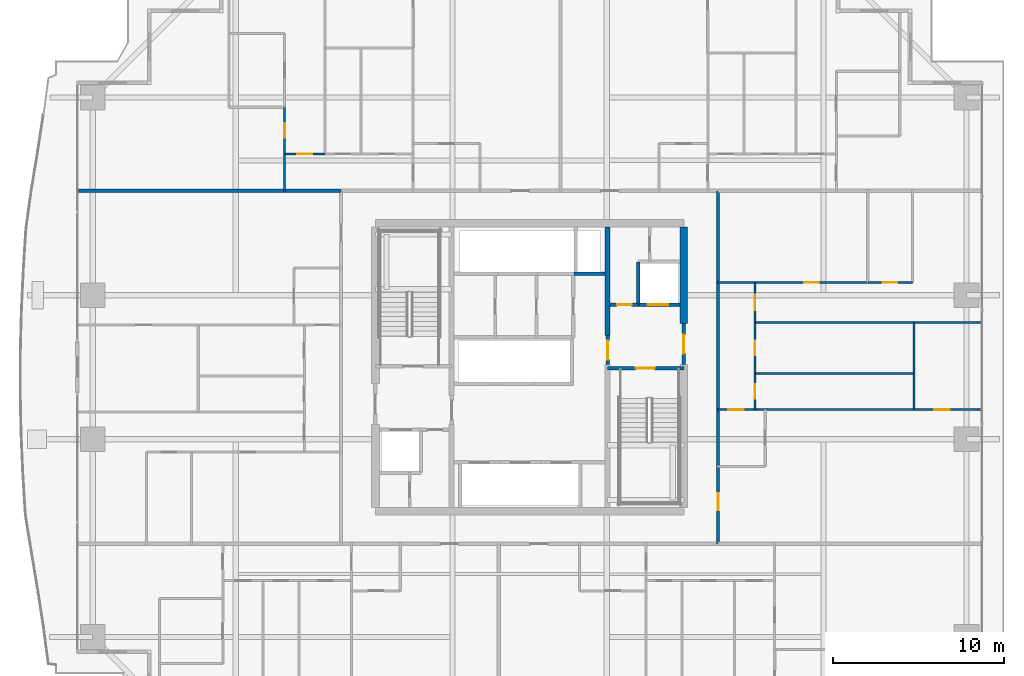
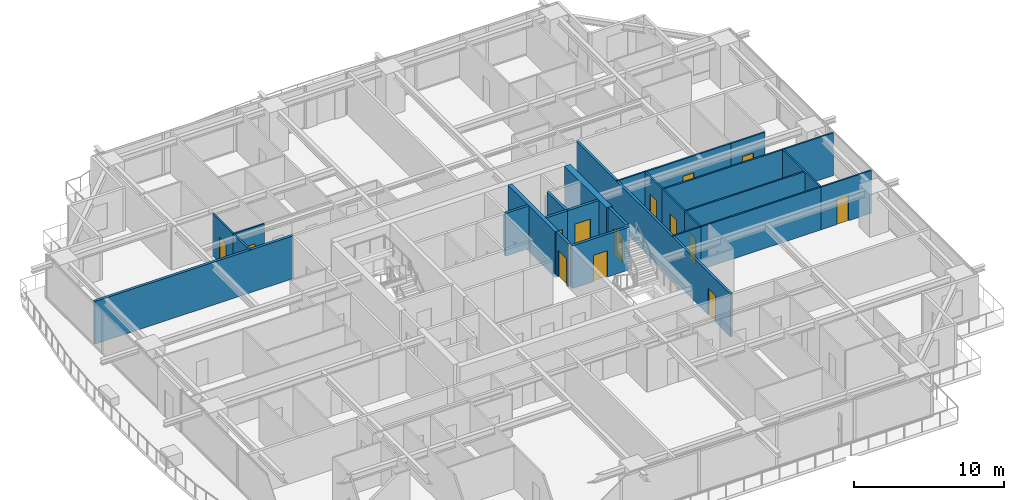
# One storey, part 26 of 36: 26 walls, 15 doors, 15 openings.
"""IFC4 building model written with IfcOpenShell, lengths in metres."""

from ifc_helpers import new_model, si_unit, direction, frame, frame_2d, origin, place, context, subcontext, project, spatial, rectangle, extrude, source, transform, mapped, material, layer, layer_set, type_object, element, fill, save


model = new_model("IFC4")

# Units and contexts
model_context = context("Model", 3, precision=1e-05, world=origin(), true_north=direction((0.0, 1.0)))
body_context = subcontext(model_context, "Body", "Model", "MODEL_VIEW")
ifc_project = project(units=[si_unit("LENGTHUNIT", "METRE"), si_unit("AREAUNIT", "SQUARE_METRE"), si_unit("VOLUMEUNIT", "CUBIC_METRE"), si_unit("PLANEANGLEUNIT", "RADIAN"), si_unit("MASSUNIT", "GRAM", prefix="KILO")], contexts=[model_context])

# Site, building, storey
site_placement = place(None, origin())
site = spatial("IfcSite", under=ifc_project, at=site_placement, CompositionType="ELEMENT")
building_placement = place(site_placement, origin())
building = spatial("IfcBuilding", under=site, at=building_placement, Name="Serunith Strait Residences", CompositionType="ELEMENT")
storey_placement = place(building_placement, frame((0.0, 0.0, 41.699951171875)))
storey = spatial("IfcBuildingStorey", under=building, at=storey_placement, Name="L09", CompositionType="ELEMENT", Elevation=41.699951171875)

# Wall, opening, door
ifc_material_1 = material(Name="Fire-rated acoustic gypsum partition")
ifc_layer_1 = layer(ifc_material_1, 0.179931640625, Name="Fire-rated acoustic gypsum partition")
ifc_layer_set_1 = layer_set([ifc_layer_1], Name="Fire-rated acoustic gypsum partition")
wall_type_1 = type_object("IfcWallType", Name="IW-CORR-180", PredefinedType="PARTITIONING", material=ifc_layer_set_1)
wall_1_placement = place(storey_placement, frame((43.39990234375, 14.89990234375, 0.0), z_axis=(0.0, 0.0, 1.0), x_axis=(0.0, 1.0, 0.0)))
wall_1 = element("IfcWall", 1, at=wall_1_placement, inside=storey, type_object=wall_type_1, Name="L09 Partition Wall 026", PredefinedType="PARTITIONING", context=body_context, shape_type="SweptSolid", body=[
    extrude(rectangle(XDim=20.60009765625, YDim=0.179931640625, at=frame_2d((10.300048828125, 0.0))), origin(), (0.0, 0.0, 1.0), 3.489990234375),
])
opening_1_placement = place(wall_1_placement, frame((1.9599609375, 0.0, 0.0)))
opening_1 = element("IfcOpeningElement", 2, at=opening_1_placement, cuts=wall_1, Name="Opening D-APT1000", PredefinedType="OPENING", context=body_context, shape_type="SweptSolid", body=[
    extrude(rectangle(XDim=1.0, YDim=2.14990234375, at=frame_2d((0.5, 1.074951171875))), frame((0.0, 0.10009765625, 0.0), z_axis=(0.0, -1.0, 0.0), x_axis=(1.0, 0.0, 0.0)), (0.0, 0.0, 1.0), 0.199951171875),
])
ifc_material_2 = material(Name="Solid timber engineered fire door", Category="wood")
door_type_1 = type_object("IfcDoorType", Name="ID-APT-1000", OperationType="NOTDEFINED", PredefinedType="DOOR", material=ifc_material_2)
shared_shape_1 = source(origin(), body_context, "Body", "SweptSolid", [
    extrude(rectangle(XDim=1.0, YDim=2.14990234375, at=frame_2d((0.5, 1.074951171875))), frame((0.0, 0.02490234375, 0.0), z_axis=(0.0, -1.0, 0.0), x_axis=(1.0, 0.0, 0.0)), (0.0, 0.0, 1.0), 0.050048828125),
])
door_1_placement = place(opening_1_placement, origin())
door_1 = element("IfcDoor", 3, at=door_1_placement, inside=storey, type_object=door_type_1, Name="L09 Unit 06 Entrance Door", OperationType="SINGLE_SWING_RIGHT", OverallHeight=2.14990234375, OverallWidth=1.0, PredefinedType="DOOR", context=body_context, shape_type="MappedRepresentation", body=[
    mapped(shared_shape_1, transform((0.0, 0.0, 0.0), scale=1.0)),
])
fill(opening_1, door_1)

ifc_material_3 = material(Name="Lightweight steel-stud gypsum partition", Category="steel")
ifc_layer_2 = layer(ifc_material_3, 0.1201171875, Name="Lightweight steel-stud gypsum partition")
ifc_layer_set_2 = layer_set([ifc_layer_2], Name="Lightweight steel-stud gypsum partition")
wall_type_2 = type_object("IfcWallType", Name="IW-PART-120", PredefinedType="PARTITIONING", material=ifc_layer_set_2)
wall_2_placement = place(storey_placement, frame((18.10009765625, 37.64990234375, 0.0), z_axis=(0.0, 0.0, 1.0), x_axis=(1.0, 0.0, 0.0)))
wall_2 = element("IfcWall", 4, at=wall_2_placement, inside=storey, type_object=wall_type_2, Name="L09 Partition Wall 071", PredefinedType="PARTITIONING", context=body_context, shape_type="SweptSolid", body=[
    extrude(rectangle(XDim=2.347900390625, YDim=0.1201171875, at=frame_2d((1.173828125, 0.0))), origin(), (0.0, 0.0, 1.0), 3.489990234375),
])
opening_2_placement = place(wall_2_placement, frame((0.72412109375, 0.0, 0.0)))
opening_2 = element("IfcOpeningElement", 5, at=opening_2_placement, cuts=wall_2, Name="Opening D-RM900", PredefinedType="OPENING", context=body_context, shape_type="SweptSolid", body=[
    extrude(rectangle(XDim=0.89990234375, YDim=2.10009765625, at=frame_2d((0.449951171875, 1.050048828125))), frame((0.0, 0.070068359375, 0.0), z_axis=(0.0, -1.0, 0.0), x_axis=(1.0, 0.0, 0.0)), (0.0, 0.0, 1.0), 0.14013671875),
])
ifc_material_4 = material(Name="Engineered timber flush bedroom door", Category="wood")
door_type_2 = type_object("IfcDoorType", Name="ID-ROOM-900", OperationType="NOTDEFINED", PredefinedType="DOOR", material=ifc_material_4)
shared_shape_2 = source(origin(), body_context, "Body", "SweptSolid", [
    extrude(rectangle(XDim=0.89990234375, YDim=2.10009765625, at=frame_2d((0.449951171875, 1.050048828125))), frame((0.0, 0.02490234375, 0.0), z_axis=(0.0, -1.0, 0.0), x_axis=(1.0, 0.0, 0.0)), (0.0, 0.0, 1.0), 0.050048828125),
])
door_2_placement = place(opening_2_placement, origin())
door_2 = element("IfcDoor", 6, at=door_2_placement, inside=storey, type_object=door_type_2, Name="L09 Master Bedroom W 0903 Door", OperationType="SINGLE_SWING_RIGHT", OverallHeight=2.10009765625, OverallWidth=0.89990234375, PredefinedType="DOOR", context=body_context, shape_type="MappedRepresentation", body=[
    mapped(shared_shape_2, transform((0.0, 0.0, 0.0), scale=1.0)),
])
fill(opening_2, door_2)

wall_3_placement = place(storey_placement, frame((18.10009765625, 40.3720703125, 0.0), z_axis=(0.0, 0.0, 1.0), x_axis=(0.0, -1.0, 0.0)))
wall_3 = element("IfcWall", 7, at=wall_3_placement, inside=storey, type_object=wall_type_2, Name="L09 Partition Wall 076", PredefinedType="PARTITIONING", context=body_context, shape_type="SweptSolid", body=[
    extrude(rectangle(XDim=2.72216796875, YDim=0.1201171875, at=frame_2d((1.361083984375, 0.0))), origin(), (0.0, 0.0, 1.0), 3.489990234375),
])
opening_3_placement = place(wall_3_placement, frame((0.93603515625, 0.0, 0.0)))
opening_3 = element("IfcOpeningElement", 8, at=opening_3_placement, cuts=wall_3, Name="Opening D-RM850", PredefinedType="OPENING", context=body_context, shape_type="SweptSolid", body=[
    extrude(rectangle(XDim=0.85009765625, YDim=2.10009765625, at=frame_2d((0.425048828125, 1.050048828125))), frame((0.0, 0.070068359375, 0.0), z_axis=(0.0, -1.0, 0.0), x_axis=(1.0, 0.0, 0.0)), (0.0, 0.0, 1.0), 0.14013671875),
])
ifc_material_5 = material(Name="Engineered timber flush study and kitchen door", Category="wood")
door_type_3 = type_object("IfcDoorType", Name="ID-ROOM-850", OperationType="NOTDEFINED", PredefinedType="DOOR", material=ifc_material_5)
shared_shape_3 = source(origin(), body_context, "Body", "SweptSolid", [
    extrude(rectangle(XDim=0.85009765625, YDim=2.10009765625, at=frame_2d((0.425048828125, 1.050048828125))), frame((0.0, 0.02490234375, 0.0), z_axis=(0.0, -1.0, 0.0), x_axis=(1.0, 0.0, 0.0)), (0.0, 0.0, 1.0), 0.050048828125),
])
door_3_placement = place(opening_3_placement, origin())
door_3 = element("IfcDoor", 9, at=door_3_placement, inside=storey, type_object=door_type_3, Name="L09 Wardrobe W 0903 Door", OperationType="SINGLE_SWING_RIGHT", OverallHeight=2.10009765625, OverallWidth=0.85009765625, PredefinedType="DOOR", context=body_context, shape_type="MappedRepresentation", body=[
    mapped(shared_shape_3, transform((0.0, 0.0, 0.0), scale=1.0)),
])
fill(opening_3, door_3)

# Wall
wall_4_placement = place(storey_placement, frame((18.10009765625, 37.64794921875, 0.0), z_axis=(0.0, 0.0, 1.0), x_axis=(0.0, -1.0, 0.0)))
element("IfcWall", 10, at=wall_4_placement, inside=storey, type_object=wall_type_2, Name="L09 Partition Wall 077", PredefinedType="PARTITIONING", context=body_context, shape_type="SweptSolid", body=[
    extrude(rectangle(XDim=2.2080078125, YDim=0.1201171875, at=frame_2d((1.10400390625, 0.0))), origin(), (0.0, 0.0, 1.0), 3.489990234375),
])

# Wall, opening, door
wall_5_placement = place(storey_placement, frame((45.550048828125, 22.72998046875, 0.0), z_axis=(0.0, 0.0, 1.0), x_axis=(-1.0, 0.0, 0.0)))
wall_5 = element("IfcWall", 11, at=wall_5_placement, inside=storey, type_object=wall_type_2, Name="L09 Partition Wall 113", PredefinedType="PARTITIONING", context=body_context, shape_type="SweptSolid", body=[
    extrude(rectangle(XDim=2.2099609375, YDim=0.1201171875, at=frame_2d((1.10498046875, 0.0))), origin(), (0.0, 0.0, 1.0), 3.489990234375),
])
opening_4_placement = place(wall_5_placement, frame((0.655029296875, 0.0, 0.0)))
opening_4 = element("IfcOpeningElement", 12, at=opening_4_placement, cuts=wall_5, Name="Opening D-RM900", PredefinedType="OPENING", context=body_context, shape_type="SweptSolid", body=[
    extrude(rectangle(XDim=0.89990234375, YDim=2.10009765625, at=frame_2d((0.449951171875, 1.050048828125))), frame((0.0, 0.070068359375, 0.0), z_axis=(0.0, -1.0, 0.0), x_axis=(1.0, 0.0, 0.0)), (0.0, 0.0, 1.0), 0.14013671875),
])
door_4_placement = place(opening_4_placement, origin())
door_4 = element("IfcDoor", 13, at=door_4_placement, inside=storey, type_object=door_type_2, Name="L09 Hall E 0906 Door", OperationType="SINGLE_SWING_RIGHT", OverallHeight=2.10009765625, OverallWidth=0.89990234375, PredefinedType="DOOR", context=body_context, shape_type="MappedRepresentation", body=[
    mapped(shared_shape_2, transform((0.0, 0.0, 0.0), scale=1.0)),
])
fill(opening_4, door_4)

wall_6_placement = place(storey_placement, frame((58.705078125, 22.72998046875, 0.0), z_axis=(0.0, 0.0, 1.0), x_axis=(-1.0, 0.0, 0.0)))
wall_6 = element("IfcWall", 14, at=wall_6_placement, inside=storey, type_object=wall_type_2, Name="L09 Partition Wall 114", PredefinedType="PARTITIONING", context=body_context, shape_type="SweptSolid", body=[
    extrude(rectangle(XDim=3.884033203125, YDim=0.1201171875, at=frame_2d((1.94189453125, 0.0))), origin(), (0.0, 0.0, 1.0), 3.489990234375),
])
opening_5_placement = place(wall_6_placement, frame((1.781005859375, 0.0, 0.0)))
opening_5 = element("IfcOpeningElement", 15, at=opening_5_placement, cuts=wall_6, Name="Opening D-RM900", PredefinedType="OPENING", context=body_context, shape_type="SweptSolid", body=[
    extrude(rectangle(XDim=0.89990234375, YDim=2.10009765625, at=frame_2d((0.449951171875, 1.050048828125))), frame((0.0, 0.070068359375, 0.0), z_axis=(0.0, -1.0, 0.0), x_axis=(1.0, 0.0, 0.0)), (0.0, 0.0, 1.0), 0.14013671875),
])
door_5_placement = place(opening_5_placement, origin())
door_5 = element("IfcDoor", 16, at=door_5_placement, inside=storey, type_object=door_type_2, Name="L09 Study 1 0906 Door", OperationType="SINGLE_SWING_LEFT", OverallHeight=2.10009765625, OverallWidth=0.89990234375, PredefinedType="DOOR", context=body_context, shape_type="MappedRepresentation", body=[
    mapped(shared_shape_2, transform((0.0, 0.0, 0.0), scale=1.0)),
])
fill(opening_5, door_5)

# Walls
wall_7_placement = place(storey_placement, frame((54.819091796875, 22.72998046875, 0.0), z_axis=(0.0, 0.0, 1.0), x_axis=(-1.0, 0.0, 0.0)))
element("IfcWall", 17, at=wall_7_placement, inside=storey, type_object=wall_type_2, Name="L09 Partition Wall 115", PredefinedType="PARTITIONING", context=body_context, shape_type="SweptSolid", body=[
    extrude(rectangle(XDim=9.26708984375, YDim=0.1201171875, at=frame_2d((4.633544921875, 0.0))), origin(), (0.0, 0.0, 1.0), 3.489990234375),
])
wall_8_placement = place(storey_placement, frame((54.821044921875, 22.72998046875, 0.0), z_axis=(0.0, 0.0, 1.0), x_axis=(0.0, 1.0, 0.0)))
element("IfcWall", 18, at=wall_8_placement, inside=storey, type_object=wall_type_2, Name="L09 Partition Wall 116", PredefinedType="PARTITIONING", context=body_context, shape_type="SweptSolid", body=[
    extrude(rectangle(XDim=5.070068359375, YDim=0.1201171875, at=frame_2d((2.53515625, 0.0))), origin(), (0.0, 0.0, 1.0), 3.489990234375),
])
wall_9_placement = place(storey_placement, frame((58.705078125, 27.800048828125, 0.0), z_axis=(0.0, 0.0, 1.0), x_axis=(-1.0, 0.0, 0.0)))
element("IfcWall", 19, at=wall_9_placement, inside=storey, type_object=wall_type_2, Name="L09 Partition Wall 117", PredefinedType="PARTITIONING", context=body_context, shape_type="SweptSolid", body=[
    extrude(rectangle(XDim=13.155029296875, YDim=0.1201171875, at=frame_2d((6.57763671875, 0.0))), origin(), (0.0, 0.0, 1.0), 3.489990234375),
])
wall_10_placement = place(storey_placement, frame((54.821044921875, 24.830078125, 0.0), z_axis=(0.0, 0.0, 1.0), x_axis=(-1.0, 0.0, 0.0)))
element("IfcWall", 20, at=wall_10_placement, inside=storey, type_object=wall_type_2, Name="L09 Partition Wall 118", PredefinedType="PARTITIONING", context=body_context, shape_type="SweptSolid", body=[
    extrude(rectangle(XDim=9.27099609375, YDim=0.1201171875, at=frame_2d((4.635498046875, 0.0))), origin(), (0.0, 0.0, 1.0), 3.489990234375),
])

# Wall, opening, door
wall_11_placement = place(storey_placement, frame((45.550048828125, 22.72998046875, 0.0), z_axis=(0.0, 0.0, 1.0), x_axis=(0.0, 1.0, 0.0)))
wall_11 = element("IfcWall", 21, at=wall_11_placement, inside=storey, type_object=wall_type_2, Name="L09 Partition Wall 119", PredefinedType="PARTITIONING", context=body_context, shape_type="SweptSolid", body=[
    extrude(rectangle(XDim=2.10009765625, YDim=0.1201171875, at=frame_2d((1.050048828125, 0.0))), origin(), (0.0, 0.0, 1.0), 3.489990234375),
])
opening_6_placement = place(wall_11_placement, frame((0.625, 0.0, 0.0)))
opening_6 = element("IfcOpeningElement", 22, at=opening_6_placement, cuts=wall_11, Name="Opening D-BTH850", PredefinedType="OPENING", context=body_context, shape_type="SweptSolid", body=[
    extrude(rectangle(XDim=0.85009765625, YDim=2.10009765625, at=frame_2d((0.425048828125, 1.050048828125))), frame((0.0, 0.070068359375, 0.0), z_axis=(0.0, -1.0, 0.0), x_axis=(1.0, 0.0, 0.0)), (0.0, 0.0, 1.0), 0.14013671875),
])
ifc_material_6 = material(Name="Moisture-resistant timber bathroom door", Category="wood")
door_type_4 = type_object("IfcDoorType", Name="ID-BATH-850", OperationType="NOTDEFINED", PredefinedType="DOOR", material=ifc_material_6)
door_6_placement = place(opening_6_placement, origin())
door_6 = element("IfcDoor", 23, at=door_6_placement, inside=storey, type_object=door_type_4, Name="L09 Bathroom 0906 Door", OperationType="SINGLE_SWING_RIGHT", OverallHeight=2.10009765625, OverallWidth=0.85009765625, PredefinedType="DOOR", context=body_context, shape_type="MappedRepresentation", body=[
    mapped(shared_shape_3, transform((0.0, 0.0, 0.0), scale=1.0)),
])
fill(opening_6, door_6)

wall_12_placement = place(storey_placement, frame((45.550048828125, 24.83203125, 0.0), z_axis=(0.0, 0.0, 1.0), x_axis=(0.0, 1.0, 0.0)))
wall_12 = element("IfcWall", 24, at=wall_12_placement, inside=storey, type_object=wall_type_2, Name="L09 Partition Wall 120", PredefinedType="PARTITIONING", context=body_context, shape_type="SweptSolid", body=[
    extrude(rectangle(XDim=2.968017578125, YDim=0.1201171875, at=frame_2d((1.48388671875, 0.0))), origin(), (0.0, 0.0, 1.0), 3.489990234375),
])
opening_7_placement = place(wall_12_placement, frame((1.05908203125, 0.0, 0.0)))
opening_7 = element("IfcOpeningElement", 25, at=opening_7_placement, cuts=wall_12, Name="Opening D-RM850", PredefinedType="OPENING", context=body_context, shape_type="SweptSolid", body=[
    extrude(rectangle(XDim=0.85009765625, YDim=2.10009765625, at=frame_2d((0.425048828125, 1.050048828125))), frame((0.0, 0.070068359375, 0.0), z_axis=(0.0, -1.0, 0.0), x_axis=(1.0, 0.0, 0.0)), (0.0, 0.0, 1.0), 0.14013671875),
])
door_7_placement = place(opening_7_placement, origin())
door_7 = element("IfcDoor", 26, at=door_7_placement, inside=storey, type_object=door_type_3, Name="L09 Study 0906 Door", OperationType="SINGLE_SWING_LEFT", OverallHeight=2.10009765625, OverallWidth=0.85009765625, PredefinedType="DOOR", context=body_context, shape_type="MappedRepresentation", body=[
    mapped(shared_shape_3, transform((0.0, 0.0, 0.0), scale=1.0)),
])
fill(opening_7, door_7)

wall_13_placement = place(storey_placement, frame((45.550048828125, 27.802001953125, 0.0), z_axis=(0.0, 0.0, 1.0), x_axis=(0.0, 1.0, 0.0)))
wall_13 = element("IfcWall", 27, at=wall_13_placement, inside=storey, type_object=wall_type_2, Name="L09 Partition Wall 121", PredefinedType="PARTITIONING", context=body_context, shape_type="SweptSolid", body=[
    extrude(rectangle(XDim=2.347900390625, YDim=0.1201171875, at=frame_2d((1.173828125, 0.0))), origin(), (0.0, 0.0, 1.0), 3.489990234375),
])
opening_8_placement = place(wall_13_placement, frame((0.72412109375, 0.0, 0.0)))
opening_8 = element("IfcOpeningElement", 28, at=opening_8_placement, cuts=wall_13, Name="Opening D-RM900", PredefinedType="OPENING", context=body_context, shape_type="SweptSolid", body=[
    extrude(rectangle(XDim=0.89990234375, YDim=2.10009765625, at=frame_2d((0.449951171875, 1.050048828125))), frame((0.0, 0.070068359375, 0.0), z_axis=(0.0, -1.0, 0.0), x_axis=(1.0, 0.0, 0.0)), (0.0, 0.0, 1.0), 0.14013671875),
])
door_8_placement = place(opening_8_placement, origin())
door_8 = element("IfcDoor", 29, at=door_8_placement, inside=storey, type_object=door_type_2, Name="L09 Master Bedroom E 0906 Door", OperationType="SINGLE_SWING_RIGHT", OverallHeight=2.10009765625, OverallWidth=0.89990234375, PredefinedType="DOOR", context=body_context, shape_type="MappedRepresentation", body=[
    mapped(shared_shape_2, transform((0.0, 0.0, 0.0), scale=1.0)),
])
fill(opening_8, door_8)

wall_14_placement = place(storey_placement, frame((54.75, 30.14990234375, 0.0), z_axis=(0.0, 0.0, 1.0), x_axis=(-1.0, 0.0, 0.0)))
wall_14 = element("IfcWall", 30, at=wall_14_placement, inside=storey, type_object=wall_type_2, Name="L09 Partition Wall 124", PredefinedType="PARTITIONING", context=body_context, shape_type="SweptSolid", body=[
    extrude(rectangle(XDim=2.616943359375, YDim=0.1201171875, at=frame_2d((1.30859375, 0.0))), origin(), (0.0, 0.0, 1.0), 3.489990234375),
])
opening_9_placement = place(wall_14_placement, frame((0.883056640625, 0.0, 0.0)))
opening_9 = element("IfcOpeningElement", 31, at=opening_9_placement, cuts=wall_14, Name="Opening D-BTH850", PredefinedType="OPENING", context=body_context, shape_type="SweptSolid", body=[
    extrude(rectangle(XDim=0.85009765625, YDim=2.10009765625, at=frame_2d((0.425048828125, 1.050048828125))), frame((0.0, 0.070068359375, 0.0), z_axis=(0.0, -1.0, 0.0), x_axis=(1.0, 0.0, 0.0)), (0.0, 0.0, 1.0), 0.14013671875),
])
door_9_placement = place(opening_9_placement, origin())
door_9 = element("IfcDoor", 32, at=door_9_placement, inside=storey, type_object=door_type_4, Name="L09 En-suite Bathroom E 0906 Door", OperationType="SINGLE_SWING_LEFT", OverallHeight=2.10009765625, OverallWidth=0.85009765625, PredefinedType="DOOR", context=body_context, shape_type="MappedRepresentation", body=[
    mapped(shared_shape_3, transform((0.0, 0.0, 0.0), scale=1.0)),
])
fill(opening_9, door_9)

wall_15_placement = place(storey_placement, frame((52.131103515625, 30.14990234375, 0.0), z_axis=(0.0, 0.0, 1.0), x_axis=(-1.0, 0.0, 0.0)))
wall_15 = element("IfcWall", 33, at=wall_15_placement, inside=storey, type_object=wall_type_2, Name="L09 Partition Wall 125", PredefinedType="PARTITIONING", context=body_context, shape_type="SweptSolid", body=[
    extrude(rectangle(XDim=6.5810546875, YDim=0.1201171875, at=frame_2d((3.29052734375, 0.0))), origin(), (0.0, 0.0, 1.0), 3.489990234375),
])
opening_10_placement = place(wall_15_placement, frame((2.865966796875, 0.0, 0.0)))
opening_10 = element("IfcOpeningElement", 34, at=opening_10_placement, cuts=wall_15, Name="Opening D-RM850", PredefinedType="OPENING", context=body_context, shape_type="SweptSolid", body=[
    extrude(rectangle(XDim=0.85009765625, YDim=2.10009765625, at=frame_2d((0.425048828125, 1.050048828125))), frame((0.0, 0.070068359375, 0.0), z_axis=(0.0, -1.0, 0.0), x_axis=(1.0, 0.0, 0.0)), (0.0, 0.0, 1.0), 0.14013671875),
])
door_10_placement = place(opening_10_placement, origin())
door_10 = element("IfcDoor", 35, at=door_10_placement, inside=storey, type_object=door_type_3, Name="L09 Wardrobe E 0906 Door", OperationType="SINGLE_SWING_RIGHT", OverallHeight=2.10009765625, OverallWidth=0.85009765625, PredefinedType="DOOR", context=body_context, shape_type="MappedRepresentation", body=[
    mapped(shared_shape_3, transform((0.0, 0.0, 0.0), scale=1.0)),
])
fill(opening_10, door_10)

# Walls
wall_16_placement = place(storey_placement, frame((45.548095703125, 30.14990234375, 0.0), z_axis=(0.0, 0.0, 1.0), x_axis=(-1.0, 0.0, 0.0)))
element("IfcWall", 36, at=wall_16_placement, inside=storey, type_object=wall_type_2, Name="L09 Partition Wall 126", PredefinedType="PARTITIONING", context=body_context, shape_type="SweptSolid", body=[
    extrude(rectangle(XDim=2.2080078125, YDim=0.1201171875, at=frame_2d((1.10400390625, 0.0))), origin(), (0.0, 0.0, 1.0), 3.489990234375),
])
ifc_material_7 = material(Name="Twin-stud acoustic gypsum board partition")
ifc_layer_3 = layer(ifc_material_7, 0.199951171875, Name="Twin-stud acoustic gypsum board partition")
ifc_layer_set_3 = layer_set([ifc_layer_3], Name="Twin-stud acoustic gypsum board partition")
wall_type_3 = type_object("IfcWallType", Name="IW-PARTY-200", PredefinedType="PARTITIONING", material=ifc_layer_set_3)
wall_17_placement = place(storey_placement, frame((6.08203125, 35.5, 0.0), z_axis=(0.0, 0.0, 1.0), x_axis=(1.0, 0.0, 0.0)))
element("IfcWall", 37, at=wall_17_placement, inside=storey, type_object=wall_type_3, Name="L09 Partition Wall 021", PredefinedType="PARTITIONING", context=body_context, shape_type="SweptSolid", body=[
    extrude(rectangle(XDim=15.31787109375, YDim=0.199951171875, at=frame_2d((7.658935546875, 0.0))), origin(), (0.0, 0.0, 1.0), 3.489990234375),
])

# Wall, opening, door
ifc_material_8 = material(Name="Autoclaved aerated concrete blockwork", Category="masonry")
ifc_layer_4 = layer(ifc_material_8, 0.199951171875, Name="Autoclaved aerated concrete blockwork")
ifc_layer_set_4 = layer_set([ifc_layer_4], Name="Autoclaved aerated concrete blockwork")
wall_type_4 = type_object("IfcWallType", Name="IW-SHAFT-200", PredefinedType="STANDARD", material=ifc_layer_set_4)
wall_18_placement = place(storey_placement, frame((36.949951171875, 25.14990234375, 0.0), z_axis=(0.0, 0.0, 1.0), x_axis=(1.0, 0.0, 0.0)))
wall_18 = element("IfcWall", 38, at=wall_18_placement, inside=storey, type_object=wall_type_4, Name="L09 ST-2 North Shaft Wall", PredefinedType="STANDARD", context=body_context, shape_type="SweptSolid", body=[
    extrude(rectangle(XDim=4.449951171875, YDim=0.199951171875, at=frame_2d((2.22509765625, 0.0))), origin(), (0.0, 0.0, 1.0), 3.489990234375),
])
opening_11_placement = place(wall_18_placement, frame((1.64990234375, 0.0, 0.0)))
opening_11 = element("IfcOpeningElement", 39, at=opening_11_placement, cuts=wall_18, Name="Opening FD-1100", PredefinedType="OPENING", context=body_context, shape_type="SweptSolid", body=[
    extrude(rectangle(XDim=1.10009765625, YDim=2.14990234375, at=frame_2d((0.550048828125, 1.074951171875))), frame((0.0, 0.10986328125, 0.0), z_axis=(0.0, -1.0, 0.0), x_axis=(1.0, 0.0, 0.0)), (0.0, 0.0, 1.0), 0.219970703125),
])
ifc_material_9 = material(Name="Galvanised steel fire door leaf", Category="steel")
door_type_5 = type_object("IfcDoorType", Name="FD-STAIR-1100", OperationType="NOTDEFINED", PredefinedType="DOOR", material=ifc_material_9)
shared_shape_4 = source(origin(), body_context, "Body", "SweptSolid", [
    extrude(rectangle(XDim=1.10009765625, YDim=2.14990234375, at=frame_2d((0.550048828125, 1.074951171875))), frame((0.0, 0.02490234375, 0.0), z_axis=(0.0, -1.0, 0.0), x_axis=(1.0, 0.0, 0.0)), (0.0, 0.0, 1.0), 0.050048828125),
])
door_11_placement = place(opening_11_placement, origin())
door_11 = element("IfcDoor", 40, at=door_11_placement, inside=storey, type_object=door_type_5, Name="L09 ST-2 Escape Stair Door", OperationType="SINGLE_SWING_RIGHT", OverallHeight=2.14990234375, OverallWidth=1.10009765625, PredefinedType="DOOR", context=body_context, shape_type="MappedRepresentation", body=[
    mapped(shared_shape_4, transform((0.0, 0.0, 0.0), scale=1.0)),
])
fill(opening_11, door_11)

wall_19_placement = place(storey_placement, frame((38.75, 28.85009765625, 0.0), z_axis=(0.0, 0.0, 1.0), x_axis=(1.0, 0.0, 0.0)))
wall_19 = element("IfcWall", 41, at=wall_19_placement, inside=storey, type_object=wall_type_4, Name="L09 FL-2 South Shaft Wall", PredefinedType="STANDARD", context=body_context, shape_type="SweptSolid", body=[
    extrude(rectangle(XDim=2.425048828125, YDim=0.199951171875, at=frame_2d((1.21240234375, 0.0))), origin(), (0.0, 0.0, 1.0), 3.489990234375),
])
opening_12_placement = place(wall_19_placement, frame((0.550048828125, 0.0, 0.0)))
opening_12 = element("IfcOpeningElement", 42, at=opening_12_placement, cuts=wall_19, Name="Opening LD-FF1200", PredefinedType="OPENING", context=body_context, shape_type="SweptSolid", body=[
    extrude(rectangle(XDim=1.199951171875, YDim=2.199951171875, at=frame_2d((0.60009765625, 1.10009765625))), frame((0.0, 0.10986328125, 0.0), z_axis=(0.0, -1.0, 0.0), x_axis=(1.0, 0.0, 0.0)), (0.0, 0.0, 1.0), 0.219970703125),
])
ifc_material_10 = material(Name="Brushed stainless steel landing door", Category="steel")
door_type_6 = type_object("IfcDoorType", Name="LD-FF-1200", OperationType="DOUBLE_DOOR_SLIDING", PredefinedType="DOOR", material=ifc_material_10)
shared_shape_5 = source(origin(), body_context, "Body", "SweptSolid", [
    extrude(rectangle(XDim=1.199951171875, YDim=2.199951171875, at=frame_2d((0.60009765625, 1.10009765625))), frame((0.0, 0.02490234375, 0.0), z_axis=(0.0, -1.0, 0.0), x_axis=(1.0, 0.0, 0.0)), (0.0, 0.0, 1.0), 0.050048828125),
])
door_12_placement = place(opening_12_placement, origin())
door_12 = element("IfcDoor", 43, at=door_12_placement, inside=storey, type_object=door_type_6, Name="L09 FL-2 Landing Door", OperationType="DOUBLE_DOOR_SLIDING", OverallHeight=2.199951171875, OverallWidth=1.199951171875, PredefinedType="DOOR", context=body_context, shape_type="MappedRepresentation", body=[
    mapped(shared_shape_5, transform((0.0, 0.0, 0.0), scale=1.0)),
])
fill(opening_12, door_12)

# Walls
wall_20_placement = place(storey_placement, frame((35.0, 30.64990234375, 0.0), z_axis=(0.0, 0.0, 1.0), x_axis=(1.0, 0.0, 0.0)))
element("IfcWall", 44, at=wall_20_placement, inside=storey, type_object=wall_type_4, Name="L09 SL-1 South Shaft Wall", PredefinedType="STANDARD", context=body_context, shape_type="SweptSolid", body=[
    extrude(rectangle(XDim=1.800048828125, YDim=0.199951171875, at=frame_2d((0.89990234375, 0.0))), origin(), (0.0, 0.0, 1.0), 3.489990234375),
])
wall_21_placement = place(storey_placement, frame((38.75, 28.85009765625, 0.0), z_axis=(0.0, 0.0, 1.0), x_axis=(0.0, 1.0, 0.0)))
element("IfcWall", 45, at=wall_21_placement, inside=storey, type_object=wall_type_4, Name="L09 Partition Wall 004", PredefinedType="STANDARD", context=body_context, shape_type="SweptSolid", body=[
    extrude(rectangle(XDim=2.5, YDim=0.199951171875, at=frame_2d((1.25, 0.0))), origin(), (0.0, 0.0, 1.0), 3.489990234375),
])

# Wall, opening, door
wall_22_placement = place(storey_placement, frame((37.10009765625, 28.85009765625, 0.0), z_axis=(0.0, 0.0, 1.0), x_axis=(1.0, 0.0, 0.0)))
wall_22 = element("IfcWall", 46, at=wall_22_placement, inside=storey, type_object=wall_type_4, Name="L09 Partition Wall 006", PredefinedType="STANDARD", context=body_context, shape_type="SweptSolid", body=[
    extrude(rectangle(XDim=1.64794921875, YDim=0.199951171875, at=frame_2d((0.823974609375, 0.0))), origin(), (0.0, 0.0, 1.0), 3.489990234375),
])
opening_13_placement = place(wall_22_placement, frame((0.39892578125, 0.0, 0.0)))
opening_13 = element("IfcOpeningElement", 47, at=opening_13_placement, cuts=wall_22, Name="Opening FD-850", PredefinedType="OPENING", context=body_context, shape_type="SweptSolid", body=[
    extrude(rectangle(XDim=0.85009765625, YDim=2.10009765625, at=frame_2d((0.425048828125, 1.050048828125))), frame((0.0, 0.10986328125, 0.0), z_axis=(0.0, -1.0, 0.0), x_axis=(1.0, 0.0, 0.0)), (0.0, 0.0, 1.0), 0.219970703125),
])
ifc_material_11 = material(Name="Powder-coated steel service closet door", Category="steel")
door_type_7 = type_object("IfcDoorType", Name="FD-BOH-850", OperationType="NOTDEFINED", PredefinedType="DOOR", material=ifc_material_11)
door_13_placement = place(opening_13_placement, origin())
door_13 = element("IfcDoor", 48, at=door_13_placement, inside=storey, type_object=door_type_7, Name="L09 North-East Core Service Door", OperationType="SINGLE_SWING_LEFT", OverallHeight=2.10009765625, OverallWidth=0.85009765625, PredefinedType="DOOR", context=body_context, shape_type="MappedRepresentation", body=[
    mapped(shared_shape_3, transform((0.0, 0.0, 0.0), scale=1.0)),
])
fill(opening_13, door_13)

wall_23_placement = place(storey_placement, frame((41.39990234375, 25.35205078125, 0.0), z_axis=(0.0, 0.0, 1.0), x_axis=(0.0, 1.0, 0.0)))
wall_23 = element("IfcWall", 49, at=wall_23_placement, inside=storey, type_object=wall_type_4, Name="L09 Partition Wall 008", PredefinedType="STANDARD", context=body_context, shape_type="SweptSolid", body=[
    extrude(rectangle(XDim=2.39599609375, YDim=0.199951171875, at=frame_2d((1.197998046875, 0.0))), origin(), (0.0, 0.0, 1.0), 3.489990234375),
])
opening_14_placement = place(wall_23_placement, frame((0.64794921875, 0.0, 0.0)))
opening_14 = element("IfcOpeningElement", 50, at=opening_14_placement, cuts=wall_23, Name="Opening FD-FFL", PredefinedType="OPENING", context=body_context, shape_type="SweptSolid", body=[
    extrude(rectangle(XDim=1.10009765625, YDim=2.14990234375, at=frame_2d((0.550048828125, 1.074951171875))), frame((0.0, 0.10986328125, 0.0), z_axis=(0.0, -1.0, 0.0), x_axis=(1.0, 0.0, 0.0)), (0.0, 0.0, 1.0), 0.219970703125),
])
ifc_material_12 = material(Name="Glazed steel smoke-lobby fire door", Category="steel")
door_type_8 = type_object("IfcDoorType", Name="FD-FFL-1100", OperationType="NOTDEFINED", PredefinedType="DOOR", material=ifc_material_12)
door_14_placement = place(opening_14_placement, origin())
door_14 = element("IfcDoor", 51, at=door_14_placement, inside=storey, type_object=door_type_8, Name="L09 FFL-2 Corridor Fire Door", OperationType="SINGLE_SWING_LEFT", OverallHeight=2.14990234375, OverallWidth=1.10009765625, PredefinedType="DOOR", context=body_context, shape_type="MappedRepresentation", body=[
    mapped(shared_shape_4, transform((0.0, 0.0, 0.0), scale=1.0)),
])
fill(opening_14, door_14)

wall_24_placement = place(storey_placement, frame((36.949951171875, 25.35205078125, 0.0), z_axis=(0.0, 0.0, 1.0), x_axis=(0.0, 1.0, 0.0)))
wall_24 = element("IfcWall", 52, at=wall_24_placement, inside=storey, type_object=wall_type_4, Name="L09 Partition Wall 010", PredefinedType="STANDARD", context=body_context, shape_type="SweptSolid", body=[
    extrude(rectangle(XDim=1.696044921875, YDim=0.199951171875, at=frame_2d((0.84814453125, 0.0))), origin(), (0.0, 0.0, 1.0), 3.489990234375),
])
opening_15_placement = place(wall_24_placement, frame((0.298095703125, 0.0, 0.0)))
opening_15 = element("IfcOpeningElement", 53, at=opening_15_placement, cuts=wall_24, Name="Opening FD-FFL", PredefinedType="OPENING", context=body_context, shape_type="SweptSolid", body=[
    extrude(rectangle(XDim=1.10009765625, YDim=2.14990234375, at=frame_2d((0.550048828125, 1.074951171875))), frame((0.0, 0.10986328125, 0.0), z_axis=(0.0, -1.0, 0.0), x_axis=(1.0, 0.0, 0.0)), (0.0, 0.0, 1.0), 0.219970703125),
])
door_15_placement = place(opening_15_placement, origin())
door_15 = element("IfcDoor", 54, at=door_15_placement, inside=storey, type_object=door_type_8, Name="L09 FFL-2 Lift Lobby Door", OperationType="SINGLE_SWING_LEFT", OverallHeight=2.14990234375, OverallWidth=1.10009765625, PredefinedType="DOOR", context=body_context, shape_type="MappedRepresentation", body=[
    mapped(shared_shape_4, transform((0.0, 0.0, 0.0), scale=1.0)),
])
fill(opening_15, door_15)

# Walls
ifc_material_13 = material(Name="Concrete C80/95", Category="concrete")
ifc_layer_5 = layer(ifc_material_13, 0.300048828125, Name="Concrete C80/95")
ifc_layer_set_5 = layer_set([ifc_layer_5], Name="Concrete C80/95")
wall_type_5 = type_object("IfcWallType", Name="SW-300-C80", PredefinedType="SHEAR", material=ifc_layer_set_5)
wall_25_placement = place(storey_placement, frame((36.949951171875, 27.050048828125, -0.260009765625), z_axis=(0.0, 0.0, 1.0), x_axis=(0.0, 1.0, 0.0)))
element("IfcWall", 55, at=wall_25_placement, inside=storey, type_object=wall_type_5, Name="L09 Core Internal East Web North Pier", PredefinedType="SHEAR", context=body_context, shape_type="SweptSolid", body=[
    extrude(rectangle(XDim=6.324951171875, YDim=0.300048828125, at=frame_2d((3.16259765625, 0.0))), origin(), (0.0, 0.0, 1.0), 3.748046875),
])
ifc_layer_6 = layer(ifc_material_13, 0.449951171875, Name="Concrete C80/95")
ifc_layer_set_6 = layer_set([ifc_layer_6], Name="Concrete C80/95")
wall_type_6 = type_object("IfcWallType", Name="SW-450-C80", PredefinedType="SHEAR", material=ifc_layer_set_6)
wall_26_placement = place(storey_placement, frame((41.39990234375, 27.75, -0.260009765625), z_axis=(0.0, 0.0, 1.0), x_axis=(0.0, 1.0, 0.0)))
element("IfcWall", 56, at=wall_26_placement, inside=storey, type_object=wall_type_6, Name="L09 Core East Shear Wall North Pier", PredefinedType="SHEAR", context=body_context, shape_type="SweptSolid", body=[
    extrude(rectangle(XDim=5.625, YDim=0.449951171875, at=frame_2d((2.8125, 0.0))), origin(), (0.0, 0.0, 1.0), 3.748046875),
])

save(model, "model.ifc")
